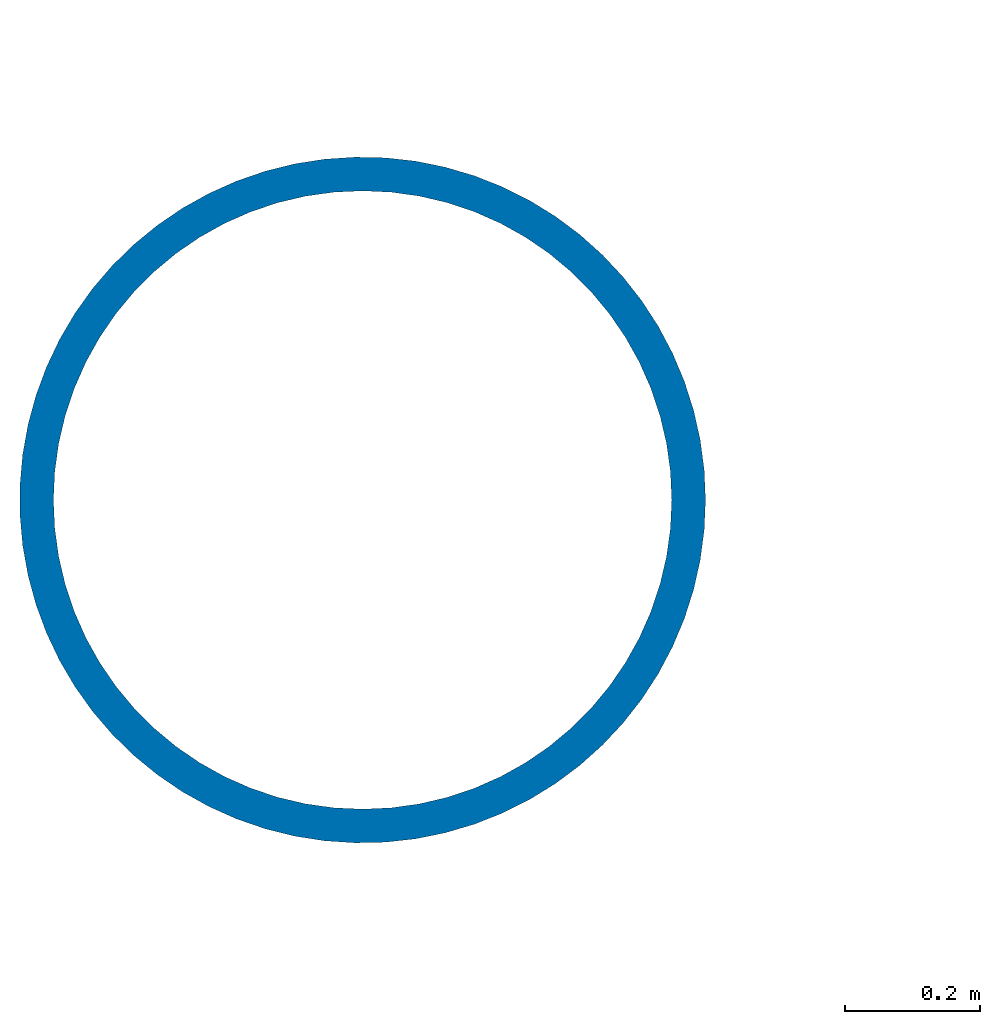
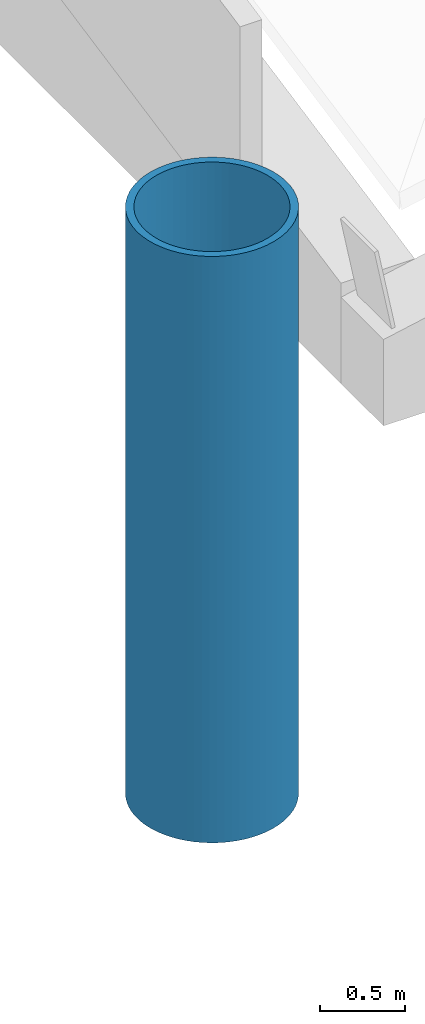
# One storey, part 1 of 21: 1 column.
"""IFC4 building model written with IfcOpenShell, lengths in metres."""

from ifc_helpers import new_model, si_unit, direction, frame, origin, origin_2d, place, context, subcontext, project, spatial, hollow_circle, extrude, material, material_profile, profile_set, type_object, element, save


model = new_model("IFC4")

# Units and contexts
model_context = context("Model", 3, precision=1e-05, world=origin(), true_north=direction((0.0, 1.0)))
body_context = subcontext(model_context, "Body", "Model", "MODEL_VIEW")
ifc_project = project(units=[si_unit("LENGTHUNIT", "METRE"), si_unit("AREAUNIT", "SQUARE_METRE"), si_unit("VOLUMEUNIT", "CUBIC_METRE"), si_unit("PLANEANGLEUNIT", "RADIAN"), si_unit("MASSUNIT", "GRAM", prefix="KILO")], contexts=[model_context])

# Site, building, storey
site_placement = place(None, origin())
site = spatial("IfcSite", under=ifc_project, at=site_placement, CompositionType="ELEMENT")
building_placement = place(site_placement, origin())
building = spatial("IfcBuilding", under=site, at=building_placement, Name="Cresset Court Congress Hotel", CompositionType="ELEMENT")
storey_placement = place(building_placement, frame((0.0, 0.0, 22.800048828125)))
storey = spatial("IfcBuildingStorey", under=building, at=storey_placement, Name="L05", CompositionType="ELEMENT", Elevation=22.800048828125)

# Column
ifc_material = material(Name="Structural steel Q355B", Category="steel")
ifc_material_profile = material_profile(ifc_material, hollow_circle(Radius=0.508056640625, WallThickness=0.050048828125, at=origin_2d()), Name="CHS1016x50")
ifc_profile_set = profile_set([ifc_material_profile], Name="Structural steel Q355B")
column_type = type_object("IfcColumnType", Name="Mast tube 1016x50", PredefinedType="COLUMN", material=ifc_profile_set)
column_placement = place(storey_placement, frame((55.800048828125, 55.800048828125, 0.0), z_axis=(0.0, 0.0, 1.0), x_axis=(1.0, 0.0, 0.0)))
element("IfcColumn", 1, at=column_placement, inside=storey, type_object=column_type, Name="Mast M1", PredefinedType="COLUMN", context=body_context, shape_type="SweptSolid", body=[
    extrude(hollow_circle(Radius=0.508056640625, WallThickness=0.050048828125, at=origin_2d()), origin(), (0.0, 0.0, 1.0), 4.199951171875),
])

save(model, "model.ifc")
